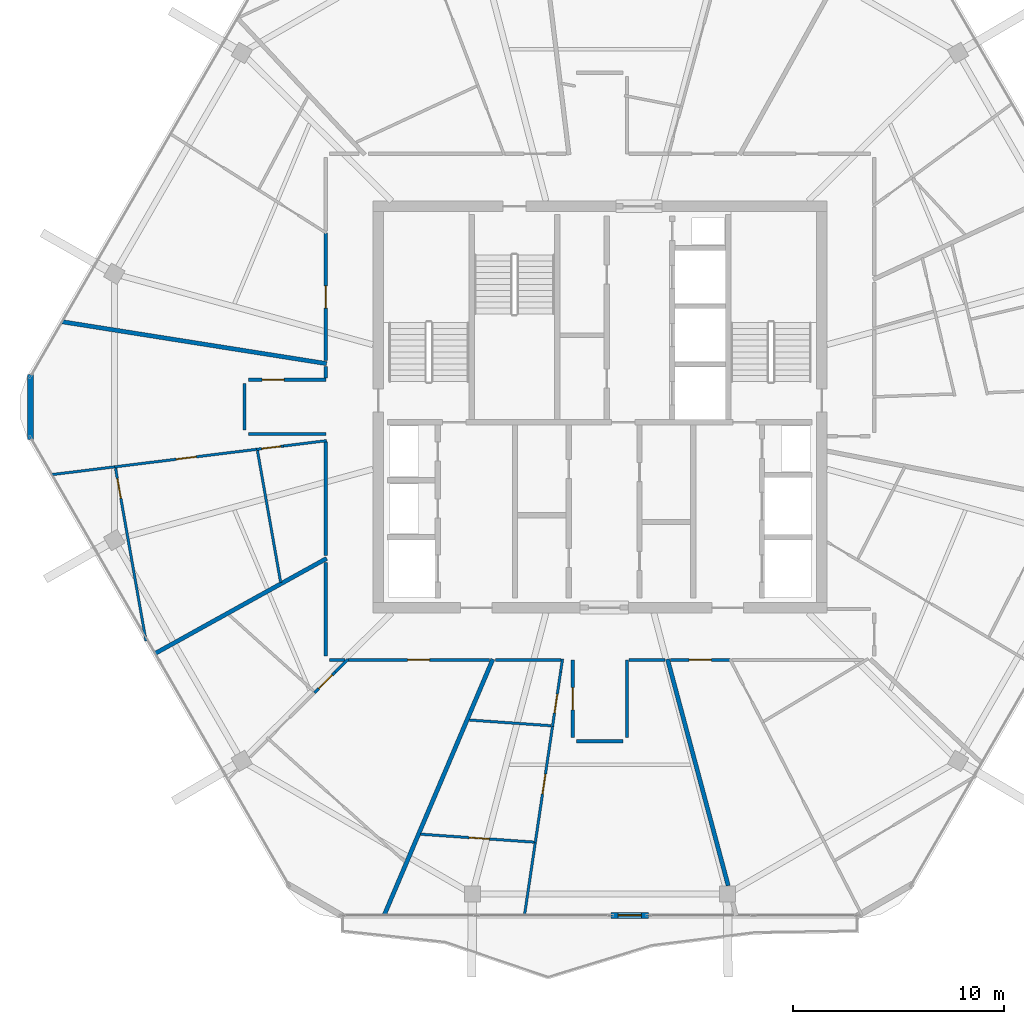
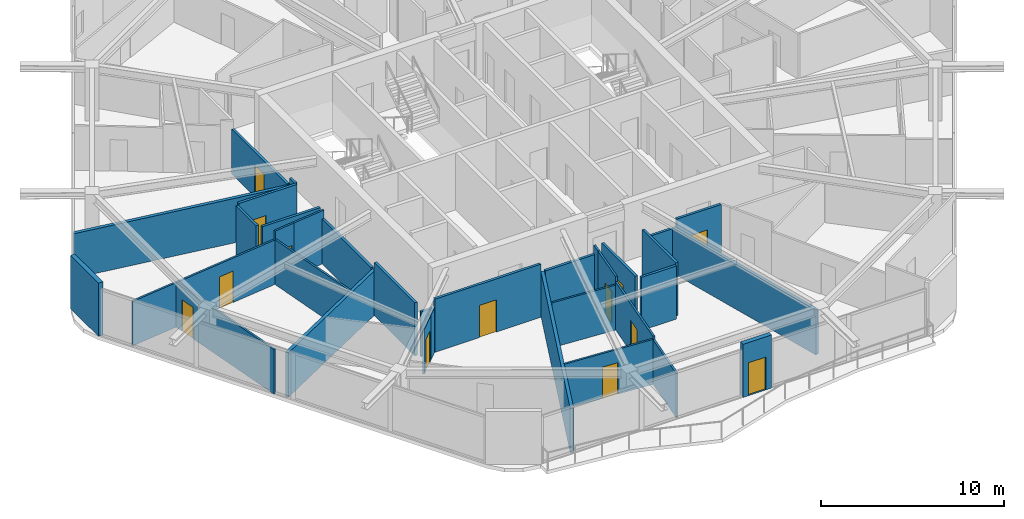
# One storey, part 15 of 21: 35 walls, 13 doors, 13 openings.
"""IFC4 building model written with IfcOpenShell, lengths in metres."""

from ifc_helpers import new_model, si_unit, direction, frame, frame_2d, origin, place, context, subcontext, project, spatial, rectangle, extrude, material, layer, layer_set, type_object, element, fill, save


model = new_model("IFC4")

# Units and contexts
model_context = context("Model", 3, precision=1e-05, world=origin(), true_north=direction((0.0, 1.0)))
body_context = subcontext(model_context, "Body", "Model", "MODEL_VIEW")
ifc_project = project(units=[si_unit("LENGTHUNIT", "METRE"), si_unit("AREAUNIT", "SQUARE_METRE"), si_unit("VOLUMEUNIT", "CUBIC_METRE"), si_unit("PLANEANGLEUNIT", "RADIAN"), si_unit("MASSUNIT", "GRAM", prefix="KILO")], contexts=[model_context])

# Site, building, storey
site_placement = place(None, origin())
site = spatial("IfcSite", under=ifc_project, at=site_placement, CompositionType="ELEMENT")
building_placement = place(site_placement, origin())
building = spatial("IfcBuilding", under=site, at=building_placement, Name="Zuhravey Tower", CompositionType="ELEMENT")
storey_placement = place(building_placement, frame((0.0, 0.0, 334.800048828125)))
storey = spatial("IfcBuildingStorey", under=building, at=storey_placement, Name="L85", CompositionType="ELEMENT", Elevation=334.800048828125)

# Wall, opening, door
ifc_material_1 = material(Name="Gypsum fire-rated stud partition")
ifc_layer_1 = layer(ifc_material_1, 0.159912109375)
ifc_layer_set_1 = layer_set([ifc_layer_1], Name="Gypsum fire-rated stud partition")
wall_type_1 = type_object("IfcWallType", Name="Corridor Fire Partition 160", PredefinedType="PARTITIONING", material=ifc_layer_set_1)
wall_1_placement = place(storey_placement, frame((23.02001953125, 40.226318359375, 0.0), z_axis=(0.0, 0.0, 1.0), x_axis=(0.0, -1.0, 0.0)))
wall_1 = element("IfcWall", 1, at=wall_1_placement, inside=storey, type_object=wall_type_1, Name="L85 IW16 Partition 023", PredefinedType="PARTITIONING", context=body_context, shape_type="SweptSolid", body=[
    extrude(rectangle(XDim=6.033935546875, YDim=0.159912109375, at=frame_2d((3.01708984375, 0.0))), origin(), (0.0, 0.0, 1.0), 3.0),
])
opening_1_placement = place(wall_1_placement, frame((2.491943359375, 0.0, 0.0)))
opening_1 = element("IfcOpeningElement", 2, at=opening_1_placement, cuts=wall_1, Name="Opening APD1", PredefinedType="OPENING", context=body_context, shape_type="SweptSolid", body=[
    extrude(rectangle(XDim=1.050048828125, YDim=2.14990234375, at=frame_2d((0.52490234375, 1.074951171875))), frame((0.0, 0.092041015625, 0.0), z_axis=(0.0, -1.0, 0.0), x_axis=(1.0, 0.0, 0.0)), (0.0, 0.0, 1.0), 0.183837890625),
])
ifc_material_2 = material(Name="Solid-core oak fire-rated leaf")
door_type_1 = type_object("IfcDoorType", Name="Apartment Entrance Fire Door 1050x2150", OperationType="NOTDEFINED", PredefinedType="DOOR", material=ifc_material_2)
door_1_placement = place(opening_1_placement, frame((1.050048828125, 0.0, 0.0), z_axis=(0.0, 0.0, 1.0), x_axis=(-1.0, 0.0, 0.0)))
door_1 = element("IfcDoor", 3, at=door_1_placement, inside=storey, type_object=door_type_1, Name="L85 Door 023.1", OperationType="SINGLE_SWING_RIGHT", OverallHeight=2.14990234375, OverallWidth=1.050048828125, PredefinedType="DOOR", context=body_context, shape_type="SweptSolid", body=[
    extrude(rectangle(XDim=1.050048828125, YDim=2.14990234375, at=frame_2d((0.52490234375, 1.074951171875))), frame((0.0, 0.02490234375, 0.0), z_axis=(0.0, -1.0, 0.0), x_axis=(1.0, 0.0, 0.0)), (0.0, 0.0, 1.0), 0.050048828125),
])
fill(opening_1, door_1)

wall_2_placement = place(storey_placement, frame((23.02001953125, 33.280029296875, 0.0), z_axis=(0.0, 0.0, 1.0), x_axis=(-1.0, 0.0, 0.0)))
wall_2 = element("IfcWall", 4, at=wall_2_placement, inside=storey, type_object=wall_type_1, Name="L85 IW16 Partition 027", PredefinedType="PARTITIONING", context=body_context, shape_type="SweptSolid", body=[
    extrude(rectangle(XDim=3.669921875, YDim=0.159912109375, at=frame_2d((1.8349609375, 0.0))), origin(), (0.0, 0.0, 1.0), 3.550048828125),
])
opening_2_placement = place(wall_2_placement, frame((1.969970703125, 0.0, 0.0)))
opening_2 = element("IfcOpeningElement", 5, at=opening_2_placement, cuts=wall_2, Name="Opening APD1", PredefinedType="OPENING", context=body_context, shape_type="SweptSolid", body=[
    extrude(rectangle(XDim=1.050048828125, YDim=2.14990234375, at=frame_2d((0.52490234375, 1.074951171875))), frame((0.0, 0.092041015625, 0.0), z_axis=(0.0, -1.0, 0.0), x_axis=(1.0, 0.0, 0.0)), (0.0, 0.0, 1.0), 0.183837890625),
])
door_2_placement = place(opening_2_placement, origin())
door_2 = element("IfcDoor", 6, at=door_2_placement, inside=storey, type_object=door_type_1, Name="L85 Door 027.1", OperationType="SINGLE_SWING_RIGHT", OverallHeight=2.14990234375, OverallWidth=1.050048828125, PredefinedType="DOOR", context=body_context, shape_type="SweptSolid", body=[
    extrude(rectangle(XDim=1.050048828125, YDim=2.14990234375, at=frame_2d((0.52490234375, 1.074951171875))), frame((0.0, 0.02490234375, 0.0), z_axis=(0.0, -1.0, 0.0), x_axis=(1.0, 0.0, 0.0)), (0.0, 0.0, 1.0), 0.050048828125),
])
fill(opening_2, door_2)

wall_3_placement = place(storey_placement, frame((24.06494140625, 20.02001953125, 0.0), z_axis=(0.0, 0.0, 1.0), x_axis=(1.0, 0.0, 0.0)))
wall_3 = element("IfcWall", 7, at=wall_3_placement, inside=storey, type_object=wall_type_1, Name="L85 IW16 Partition 032", PredefinedType="PARTITIONING", context=body_context, shape_type="SweptSolid", body=[
    extrude(rectangle(XDim=6.7041015625, YDim=0.159912109375, at=frame_2d((3.35205078125, 0.0))), origin(), (0.0, 0.0, 1.0), 3.550048828125),
])
opening_3_placement = place(wall_3_placement, frame((2.8271484375, 0.0, 0.0)))
opening_3 = element("IfcOpeningElement", 8, at=opening_3_placement, cuts=wall_3, Name="Opening APD1", PredefinedType="OPENING", context=body_context, shape_type="SweptSolid", body=[
    extrude(rectangle(XDim=1.050048828125, YDim=2.14990234375, at=frame_2d((0.52490234375, 1.074951171875))), frame((0.0, 0.092041015625, 0.0), z_axis=(0.0, -1.0, 0.0), x_axis=(1.0, 0.0, 0.0)), (0.0, 0.0, 1.0), 0.183837890625),
])
door_3_placement = place(opening_3_placement, frame((1.050048828125, 0.0, 0.0), z_axis=(0.0, 0.0, 1.0), x_axis=(-1.0, 0.0, 0.0)))
door_3 = element("IfcDoor", 9, at=door_3_placement, inside=storey, type_object=door_type_1, Name="L85 Door 032.1", OperationType="SINGLE_SWING_RIGHT", OverallHeight=2.14990234375, OverallWidth=1.050048828125, PredefinedType="DOOR", context=body_context, shape_type="SweptSolid", body=[
    extrude(rectangle(XDim=1.050048828125, YDim=2.14990234375, at=frame_2d((0.52490234375, 1.074951171875))), frame((0.0, 0.02490234375, 0.0), z_axis=(0.0, -1.0, 0.0), x_axis=(1.0, 0.0, 0.0)), (0.0, 0.0, 1.0), 0.050048828125),
])
fill(opening_3, door_3)

wall_4_placement = place(storey_placement, frame((34.719970703125, 20.02001953125, 0.0), z_axis=(0.0, 0.0, 1.0), x_axis=(0.0, -1.0, 0.0)))
wall_4 = element("IfcWall", 10, at=wall_4_placement, inside=storey, type_object=wall_type_1, Name="L85 IW16 Partition 036", PredefinedType="PARTITIONING", context=body_context, shape_type="SweptSolid", body=[
    extrude(rectangle(XDim=3.669921875, YDim=0.159912109375, at=frame_2d((1.8349609375, 0.0))), origin(), (0.0, 0.0, 1.0), 3.550048828125),
])
opening_4_placement = place(wall_4_placement, frame((1.31005859375, 0.0, 0.0)))
opening_4 = element("IfcOpeningElement", 11, at=opening_4_placement, cuts=wall_4, Name="Opening APD1", PredefinedType="OPENING", context=body_context, shape_type="SweptSolid", body=[
    extrude(rectangle(XDim=1.050048828125, YDim=2.14990234375, at=frame_2d((0.52490234375, 1.074951171875))), frame((0.0, 0.092041015625, 0.0), z_axis=(0.0, -1.0, 0.0), x_axis=(1.0, 0.0, 0.0)), (0.0, 0.0, 1.0), 0.183837890625),
])
door_4_placement = place(opening_4_placement, origin())
door_4 = element("IfcDoor", 12, at=door_4_placement, inside=storey, type_object=door_type_1, Name="L85 Door 036.1", OperationType="SINGLE_SWING_RIGHT", OverallHeight=2.14990234375, OverallWidth=1.050048828125, PredefinedType="DOOR", context=body_context, shape_type="SweptSolid", body=[
    extrude(rectangle(XDim=1.050048828125, YDim=2.14990234375, at=frame_2d((0.52490234375, 1.074951171875))), frame((0.0, 0.02490234375, 0.0), z_axis=(0.0, -1.0, 0.0), x_axis=(1.0, 0.0, 0.0)), (0.0, 0.0, 1.0), 0.050048828125),
])
fill(opening_4, door_4)

wall_5_placement = place(storey_placement, frame((39.343017578125, 20.02001953125, 0.0), z_axis=(0.0, 0.0, 1.0), x_axis=(1.0, 0.0, 0.0)))
wall_5 = element("IfcWall", 13, at=wall_5_placement, inside=storey, type_object=wall_type_1, Name="L85 IW16 Partition 040", PredefinedType="PARTITIONING", context=body_context, shape_type="SweptSolid", body=[
    extrude(rectangle(XDim=2.8125, YDim=0.159912109375, at=frame_2d((1.40625, 0.0))), origin(), (0.0, 0.0, 1.0), 3.550048828125),
])
opening_5_placement = place(wall_5_placement, frame((0.881103515625, 0.0, 0.0)))
opening_5 = element("IfcOpeningElement", 14, at=opening_5_placement, cuts=wall_5, Name="Opening APD1", PredefinedType="OPENING", context=body_context, shape_type="SweptSolid", body=[
    extrude(rectangle(XDim=1.050048828125, YDim=2.14990234375, at=frame_2d((0.52490234375, 1.074951171875))), frame((0.0, 0.092041015625, 0.0), z_axis=(0.0, -1.0, 0.0), x_axis=(1.0, 0.0, 0.0)), (0.0, 0.0, 1.0), 0.183837890625),
])
door_5_placement = place(opening_5_placement, frame((1.050048828125, 0.0, 0.0), z_axis=(0.0, 0.0, 1.0), x_axis=(-1.0, 0.0, 0.0)))
door_5 = element("IfcDoor", 15, at=door_5_placement, inside=storey, type_object=door_type_1, Name="L85 Door 040.1", OperationType="SINGLE_SWING_RIGHT", OverallHeight=2.14990234375, OverallWidth=1.050048828125, PredefinedType="DOOR", context=body_context, shape_type="SweptSolid", body=[
    extrude(rectangle(XDim=1.050048828125, YDim=2.14990234375, at=frame_2d((0.52490234375, 1.074951171875))), frame((0.0, 0.02490234375, 0.0), z_axis=(0.0, -1.0, 0.0), x_axis=(1.0, 0.0, 0.0)), (0.0, 0.0, 1.0), 0.050048828125),
])
fill(opening_5, door_5)

# Walls
wall_6_placement = place(storey_placement, frame((19.35009765625, 30.719970703125, 0.0), z_axis=(0.0, 0.0, 1.0), x_axis=(1.0, 0.0, 0.0)))
element("IfcWall", 16, at=wall_6_placement, inside=storey, type_object=wall_type_1, Name="L85 IW16 Partition 106", PredefinedType="PARTITIONING", context=body_context, shape_type="SweptSolid", body=[
    extrude(rectangle(XDim=3.669921875, YDim=0.159912109375, at=frame_2d((1.8349609375, 0.0))), origin(), (0.0, 0.0, 1.0), 3.550048828125),
])
wall_7_placement = place(storey_placement, frame((19.169921875, 33.10009765625, 0.0), z_axis=(0.0, 0.0, 1.0), x_axis=(0.0, -1.0, 0.0)))
element("IfcWall", 17, at=wall_7_placement, inside=storey, type_object=wall_type_1, Name="L85 IW16 Partition 107", PredefinedType="PARTITIONING", context=body_context, shape_type="SweptSolid", body=[
    extrude(rectangle(XDim=2.2001953125, YDim=0.159912109375, at=frame_2d((1.10009765625, 0.0))), origin(), (0.0, 0.0, 1.0), 3.550048828125),
])
wall_8_placement = place(storey_placement, frame((23.02001953125, 33.919677734375, 0.0), z_axis=(0.0, 0.0, 1.0), x_axis=(0.0, -1.0, 0.0)))
element("IfcWall", 18, at=wall_8_placement, inside=storey, type_object=wall_type_1, Name="L85 IW16 Partition 108", PredefinedType="PARTITIONING", context=body_context, shape_type="SweptSolid", body=[
    extrude(rectangle(XDim=0.5517578125, YDim=0.159912109375, at=frame_2d((0.27587890625, 0.0))), origin(), (0.0, 0.0, 1.0), 3.550048828125),
])
wall_9_placement = place(storey_placement, frame((23.02001953125, 30.32861328125, 0.0), z_axis=(0.0, 0.0, 1.0), x_axis=(0.0, -1.0, 0.0)))
element("IfcWall", 19, at=wall_9_placement, inside=storey, type_object=wall_type_1, Name="L85 IW16 Partition 109", PredefinedType="PARTITIONING", context=body_context, shape_type="SweptSolid", body=[
    extrude(rectangle(XDim=5.353515625, YDim=0.159912109375, at=frame_2d((2.6767578125, 0.0))), origin(), (0.0, 0.0, 1.0), 3.0),
])
wall_10_placement = place(storey_placement, frame((23.02001953125, 24.63330078125, 0.0), z_axis=(0.0, 0.0, 1.0), x_axis=(0.0, -1.0, 0.0)))
element("IfcWall", 20, at=wall_10_placement, inside=storey, type_object=wall_type_1, Name="L85 IW16 Partition 110", PredefinedType="PARTITIONING", context=body_context, shape_type="SweptSolid", body=[
    extrude(rectangle(XDim=4.433349609375, YDim=0.159912109375, at=frame_2d((2.216796875, 0.0))), origin(), (0.0, 0.0, 1.0), 3.550048828125),
])
wall_11_placement = place(storey_placement, frame((23.199951171875, 20.02001953125, 0.0), z_axis=(0.0, 0.0, 1.0), x_axis=(1.0, 0.0, 0.0)))
element("IfcWall", 21, at=wall_11_placement, inside=storey, type_object=wall_type_1, Name="L85 IW16 Partition 111", PredefinedType="PARTITIONING", context=body_context, shape_type="SweptSolid", body=[
    extrude(rectangle(XDim=0.740478515625, YDim=0.159912109375, at=frame_2d((0.3701171875, 0.0))), origin(), (0.0, 0.0, 1.0), 3.0),
])
wall_12_placement = place(storey_placement, frame((37.280029296875, 16.35009765625, 0.0), z_axis=(0.0, 0.0, 1.0), x_axis=(0.0, 1.0, 0.0)))
element("IfcWall", 22, at=wall_12_placement, inside=storey, type_object=wall_type_1, Name="L85 IW16 Partition 112", PredefinedType="PARTITIONING", context=body_context, shape_type="SweptSolid", body=[
    extrude(rectangle(XDim=3.669921875, YDim=0.159912109375, at=frame_2d((1.8349609375, 0.0))), origin(), (0.0, 0.0, 1.0), 3.550048828125),
])
wall_13_placement = place(storey_placement, frame((34.89990234375, 16.169921875, 0.0), z_axis=(0.0, 0.0, 1.0), x_axis=(1.0, 0.0, 0.0)))
element("IfcWall", 23, at=wall_13_placement, inside=storey, type_object=wall_type_1, Name="L85 IW16 Partition 113", PredefinedType="PARTITIONING", context=body_context, shape_type="SweptSolid", body=[
    extrude(rectangle(XDim=2.2001953125, YDim=0.159912109375, at=frame_2d((1.10009765625, 0.0))), origin(), (0.0, 0.0, 1.0), 3.550048828125),
])
wall_14_placement = place(storey_placement, frame((37.367919921875, 20.02001953125, 0.0), z_axis=(0.0, 0.0, 1.0), x_axis=(1.0, 0.0, 0.0)))
element("IfcWall", 24, at=wall_14_placement, inside=storey, type_object=wall_type_1, Name="L85 IW16 Partition 114", PredefinedType="PARTITIONING", context=body_context, shape_type="SweptSolid", body=[
    extrude(rectangle(XDim=1.709716796875, YDim=0.159912109375, at=frame_2d((0.85498046875, 0.0))), origin(), (0.0, 0.0, 1.0), 3.0),
])
wall_15_placement = place(storey_placement, frame((31.059326171875, 20.02001953125, 0.0), z_axis=(0.0, 0.0, 1.0), x_axis=(1.0, 0.0, 0.0)))
element("IfcWall", 25, at=wall_15_placement, inside=storey, type_object=wall_type_1, Name="L85 IW16 Partition 115", PredefinedType="PARTITIONING", context=body_context, shape_type="SweptSolid", body=[
    extrude(rectangle(XDim=3.09423828125, YDim=0.159912109375, at=frame_2d((1.547119140625, 0.0))), origin(), (0.0, 0.0, 1.0), 3.0),
])

# Wall, opening, door
ifc_material_3 = material(Name="Precast concrete C40/50", Category="concrete")
ifc_layer_2 = layer(ifc_material_3, 0.280029296875)
ifc_layer_set_2 = layer_set([ifc_layer_2], Name="Precast concrete C40/50")
wall_type_2 = type_object("IfcWallType", Name="Crown Architectural Wall 280", PredefinedType="SOLIDWALL", material=ifc_layer_set_2)
wall_16_placement = place(storey_placement, frame((38.30712890625, 7.92578125, 0.0), z_axis=(0.0, 0.0, 1.0), x_axis=(-1.0, 0.0, 0.0)))
wall_16 = element("IfcWall", 26, at=wall_16_placement, inside=storey, type_object=wall_type_2, Name="L85 Face 5 Facade Pier EW28-1", PredefinedType="SOLIDWALL", context=body_context, shape_type="SweptSolid", body=[
    extrude(rectangle(XDim=1.7900390625, YDim=0.280029296875, at=frame_2d((0.89501953125, 0.0))), origin(), (0.0, 0.0, 1.0), 3.550048828125),
])
opening_6_placement = place(wall_16_placement, frame((0.344970703125, 0.0, 0.0)))
opening_6 = element("IfcOpeningElement", 27, at=opening_6_placement, cuts=wall_16, Name="Opening BLD1", PredefinedType="OPENING", context=body_context, shape_type="SweptSolid", body=[
    extrude(rectangle(XDim=1.10009765625, YDim=2.199951171875, at=frame_2d((0.550048828125, 1.10009765625))), frame((0.0, 0.152099609375, 0.0), z_axis=(0.0, -1.0, 0.0), x_axis=(1.0, 0.0, 0.0)), (0.0, 0.0, 1.0), 0.303955078125),
])
ifc_material_4 = material(Name="Thermally broken aluminium and low-E glass", Category="aluminium")
door_type_2 = type_object("IfcDoorType", Name="Balcony & Sky-Tray Glazed Door 1100x2200", OperationType="NOTDEFINED", PredefinedType="DOOR", material=ifc_material_4)
door_6_placement = place(opening_6_placement, frame((1.10009765625, 0.0, 0.0), z_axis=(0.0, 0.0, 1.0), x_axis=(-1.0, 0.0, 0.0)))
door_6 = element("IfcDoor", 28, at=door_6_placement, inside=storey, type_object=door_type_2, Name="L85 Face 5 Wave Balcony Door", OperationType="SINGLE_SWING_LEFT", OverallHeight=2.199951171875, OverallWidth=1.10009765625, PredefinedType="DOOR", context=body_context, shape_type="SweptSolid", body=[
    extrude(rectangle(XDim=1.10009765625, YDim=2.199951171875, at=frame_2d((0.550048828125, 1.10009765625))), frame((0.0, 0.02490234375, 0.0), z_axis=(0.0, -1.0, 0.0), x_axis=(1.0, 0.0, 0.0)), (0.0, 0.0, 1.0), 0.050048828125),
])
fill(opening_6, door_6)

# Walls
wall_17_placement = place(storey_placement, frame((9.031494140625, 30.467529296875, 0.0), z_axis=(0.0, 0.0, 1.0), x_axis=(0.0, 1.0, 0.0)))
element("IfcWall", 29, at=wall_17_placement, inside=storey, type_object=wall_type_2, Name="L85 Rounded Corner Closure Wall EW28-06", PredefinedType="SOLIDWALL", context=body_context, shape_type="SweptSolid", body=[
    extrude(rectangle(XDim=3.06494140625, YDim=0.280029296875, at=frame_2d((1.532470703125, 0.0))), origin(), (0.0, 0.0, 1.0), 3.550048828125),
])
ifc_material_5 = material(Name="Gypsum double-stud party assembly")
ifc_layer_3 = layer(ifc_material_5, 0.199951171875)
ifc_layer_set_3 = layer_set([ifc_layer_3], Name="Gypsum double-stud party assembly")
wall_type_3 = type_object("IfcWallType", Name="Inter-Tenancy Party Wall 200", PredefinedType="PARTITIONING", material=ifc_layer_set_3)
wall_18_placement = place(storey_placement, frame((23.06005859375, 34.049560546875, 0.0), z_axis=(0.0, 0.0, 1.0), x_axis=(-0.987689201377, 0.156429030179, 0.0)))
element("IfcWall", 30, at=wall_18_placement, inside=storey, type_object=wall_type_3, Name="L85 IW20 Partition 066", PredefinedType="PARTITIONING", context=body_context, shape_type="SweptSolid", body=[
    extrude(rectangle(XDim=12.685546875, YDim=0.199951171875, at=frame_2d((6.3427734375, 0.0))), origin(), (0.0, 0.0, 1.0), 2.969970703125),
])
wall_19_placement = place(storey_placement, frame((23.06005859375, 24.8271484375, 0.0), z_axis=(0.0, 0.0, 1.0), x_axis=(-0.874625812901, -0.484798604998, 0.0)))
element("IfcWall", 31, at=wall_19_placement, inside=storey, type_object=wall_type_3, Name="L85 IW20 Partition 070", PredefinedType="PARTITIONING", context=body_context, shape_type="SweptSolid", body=[
    extrude(rectangle(XDim=9.28271484375, YDim=0.199951171875, at=frame_2d((4.641357421875, 0.0))), origin(), (0.0, 0.0, 1.0), 2.969970703125),
])
wall_20_placement = place(storey_placement, frame((30.931884765625, 20.06005859375, 0.0), z_axis=(0.0, 0.0, 1.0), x_axis=(-0.390727247375, -0.920506500878, 0.0)))
element("IfcWall", 32, at=wall_20_placement, inside=storey, type_object=wall_type_3, Name="L85 IW20 Partition 074", PredefinedType="PARTITIONING", context=body_context, shape_type="SweptSolid", body=[
    extrude(rectangle(XDim=13.18212890625, YDim=0.199951171875, at=frame_2d((6.591064453125, 0.0))), origin(), (0.0, 0.0, 1.0), 2.969970703125),
])
wall_21_placement = place(storey_placement, frame((39.19921875, 20.06005859375, 0.0), z_axis=(0.0, 0.0, 1.0), x_axis=(0.258828003351, -0.965923425889, 0.0)))
element("IfcWall", 33, at=wall_21_placement, inside=storey, type_object=wall_type_3, Name="L85 IW20 Partition 078", PredefinedType="PARTITIONING", context=body_context, shape_type="SweptSolid", body=[
    extrude(rectangle(XDim=11.107666015625, YDim=0.199951171875, at=frame_2d((5.5537109375, 0.0))), origin(), (0.0, 0.0, 1.0), 3.0),
])

# Wall, opening, door
ifc_material_6 = material(Name="Gypsum metal-stud partition")
ifc_layer_4 = layer(ifc_material_6, 0.1201171875)
ifc_layer_set_4 = layer_set([ifc_layer_4], Name="Gypsum metal-stud partition")
wall_type_4 = type_object("IfcWallType", Name="Unit Internal Partition 120", PredefinedType="PARTITIONING", material=ifc_layer_set_4)
wall_22_placement = place(storey_placement, frame((21.01953125, 30.14990234375, 0.0), z_axis=(0.0, 0.0, 1.0), x_axis=(-0.992470094152, -0.122487192042, 0.0)))
wall_22 = element("IfcWall", 34, at=wall_22_placement, inside=storey, type_object=wall_type_4, Name="L85 IW12 Partition 024", PredefinedType="PARTITIONING", context=body_context, shape_type="SweptSolid", body=[
    extrude(rectangle(XDim=1.28173828125, YDim=0.1201171875, at=frame_2d((0.640869140625, 0.0))), origin(), (0.0, 0.0, 1.0), 3.550048828125),
])
opening_7_placement = place(wall_22_placement, frame((0.139892578125, 0.0, 0.0)))
opening_7 = element("IfcOpeningElement", 35, at=opening_7_placement, cuts=wall_22, Name="Opening WCD1", PredefinedType="OPENING", context=body_context, shape_type="SweptSolid", body=[
    extrude(rectangle(XDim=0.89990234375, YDim=2.10009765625, at=frame_2d((0.449951171875, 1.050048828125))), frame((0.0, 0.072021484375, 0.0), z_axis=(0.0, -1.0, 0.0), x_axis=(1.0, 0.0, 0.0)), (0.0, 0.0, 1.0), 0.14404296875),
])
ifc_material_7 = material(Name="Moisture-resistant timber leaf", Category="wood")
door_type_3 = type_object("IfcDoorType", Name="Bathroom & WC Internal Door 900x2100", OperationType="NOTDEFINED", PredefinedType="DOOR", material=ifc_material_7)
door_7_placement = place(opening_7_placement, origin())
door_7 = element("IfcDoor", 36, at=door_7_placement, inside=storey, type_object=door_type_3, Name="Apartment L85-02 Bathroom Door", OperationType="SINGLE_SWING_LEFT", OverallHeight=2.10009765625, OverallWidth=0.89990234375, PredefinedType="DOOR", context=body_context, shape_type="SweptSolid", body=[
    extrude(rectangle(XDim=0.89990234375, YDim=2.10009765625, at=frame_2d((0.449951171875, 1.050048828125))), frame((0.0, 0.02490234375, 0.0), z_axis=(0.0, -1.0, 0.0), x_axis=(1.0, 0.0, 0.0)), (0.0, 0.0, 1.0), 0.050048828125),
])
fill(opening_7, door_7)

wall_23_placement = place(storey_placement, frame((19.74755859375, 29.992919921875, 0.0), z_axis=(0.0, 0.0, 1.0), x_axis=(-0.992461497714, -0.122556825821, 0.0)))
wall_23 = element("IfcWall", 37, at=wall_23_placement, inside=storey, type_object=wall_type_4, Name="L85 IW12 Partition 025", PredefinedType="PARTITIONING", context=body_context, shape_type="SweptSolid", body=[
    extrude(rectangle(XDim=6.77099609375, YDim=0.1201171875, at=frame_2d((3.385498046875, 0.0))), origin(), (0.0, 0.0, 1.0), 2.969970703125),
])
opening_8_placement = place(wall_23_placement, frame((2.885498046875, 0.0, 0.0)))
opening_8 = element("IfcOpeningElement", 38, at=opening_8_placement, cuts=wall_23, Name="Opening IND1", PredefinedType="OPENING", context=body_context, shape_type="SweptSolid", body=[
    extrude(rectangle(XDim=0.949951171875, YDim=2.10009765625, at=frame_2d((0.47509765625, 1.050048828125))), frame((0.0, 0.072021484375, 0.0), z_axis=(0.0, -1.0, 0.0), x_axis=(1.0, 0.0, 0.0)), (0.0, 0.0, 1.0), 0.14404296875),
])
ifc_material_8 = material(Name="Painted engineered timber leaf", Category="wood")
door_type_4 = type_object("IfcDoorType", Name="Internal Room & Bedroom Door 950x2100", OperationType="NOTDEFINED", PredefinedType="DOOR", material=ifc_material_8)
door_8_placement = place(opening_8_placement, origin())
door_8 = element("IfcDoor", 39, at=door_8_placement, inside=storey, type_object=door_type_4, Name="Apartment L85-02 Home Office Door", OperationType="SINGLE_SWING_RIGHT", OverallHeight=2.10009765625, OverallWidth=0.949951171875, PredefinedType="DOOR", context=body_context, shape_type="SweptSolid", body=[
    extrude(rectangle(XDim=0.949951171875, YDim=2.10009765625, at=frame_2d((0.47509765625, 1.050048828125))), frame((0.0, 0.02490234375, 0.0), z_axis=(0.0, -1.0, 0.0), x_axis=(1.0, 0.0, 0.0)), (0.0, 0.0, 1.0), 0.050048828125),
])
fill(opening_8, door_8)

wall_24_placement = place(storey_placement, frame((13.064208984375, 29.09912109375, 0.0), z_axis=(0.0, 0.0, 1.0), x_axis=(0.173662921091, -0.984805153235, 0.0)))
wall_24 = element("IfcWall", 40, at=wall_24_placement, inside=storey, type_object=wall_type_4, Name="L85 IW12 Partition 026", PredefinedType="PARTITIONING", context=body_context, shape_type="SweptSolid", body=[
    extrude(rectangle(XDim=8.3056640625, YDim=0.1201171875, at=frame_2d((4.15283203125, 0.0))), origin(), (0.0, 0.0, 1.0), 2.969970703125),
])
opening_9_placement = place(wall_24_placement, frame((0.497314453125, 0.0, 0.0)))
opening_9 = element("IfcOpeningElement", 41, at=opening_9_placement, cuts=wall_24, Name="Opening IND1", PredefinedType="OPENING", context=body_context, shape_type="SweptSolid", body=[
    extrude(rectangle(XDim=0.949951171875, YDim=2.10009765625, at=frame_2d((0.47509765625, 1.050048828125))), frame((0.0, 0.072021484375, 0.0), z_axis=(0.0, -1.0, 0.0), x_axis=(1.0, 0.0, 0.0)), (0.0, 0.0, 1.0), 0.14404296875),
])
door_9_placement = place(opening_9_placement, frame((0.949951171875, 0.0, 0.0), z_axis=(0.0, 0.0, 1.0), x_axis=(-1.0, 0.0, 0.0)))
door_9 = element("IfcDoor", 42, at=door_9_placement, inside=storey, type_object=door_type_4, Name="Apartment L85-02 Bedroom 1 Door", OperationType="SINGLE_SWING_LEFT", OverallHeight=2.10009765625, OverallWidth=0.949951171875, PredefinedType="DOOR", context=body_context, shape_type="SweptSolid", body=[
    extrude(rectangle(XDim=0.949951171875, YDim=2.10009765625, at=frame_2d((0.47509765625, 1.050048828125))), frame((0.0, 0.02490234375, 0.0), z_axis=(0.0, -1.0, 0.0), x_axis=(1.0, 0.0, 0.0)), (0.0, 0.0, 1.0), 0.050048828125),
])
fill(opening_9, door_9)

wall_25_placement = place(storey_placement, frame((23.46728515625, 19.449951171875, 0.0), z_axis=(0.0, 0.0, 1.0), x_axis=(-0.706576517607, -0.707636647416, 0.0)))
wall_25 = element("IfcWall", 43, at=wall_25_placement, inside=storey, type_object=wall_type_4, Name="L85 IW12 Partition 029", PredefinedType="PARTITIONING", context=body_context, shape_type="SweptSolid", body=[
    extrude(rectangle(XDim=1.3818359375, YDim=0.1201171875, at=frame_2d((0.69091796875, 0.0))), origin(), (0.0, 0.0, 1.0), 3.0),
])
opening_10_placement = place(wall_25_placement, frame((0.199951171875, 0.0, 0.0)))
opening_10 = element("IfcOpeningElement", 44, at=opening_10_placement, cuts=wall_25, Name="Opening WCD1", PredefinedType="OPENING", context=body_context, shape_type="SweptSolid", body=[
    extrude(rectangle(XDim=0.89990234375, YDim=2.10009765625, at=frame_2d((0.449951171875, 1.050048828125))), frame((0.0, 0.072021484375, 0.0), z_axis=(0.0, -1.0, 0.0), x_axis=(1.0, 0.0, 0.0)), (0.0, 0.0, 1.0), 0.14404296875),
])
door_10_placement = place(opening_10_placement, frame((0.89990234375, 0.0, 0.0), z_axis=(0.0, 0.0, 1.0), x_axis=(-1.0, 0.0, 0.0)))
door_10 = element("IfcDoor", 45, at=door_10_placement, inside=storey, type_object=door_type_3, Name="Apartment L85-03 Bathroom Door", OperationType="SINGLE_SWING_RIGHT", OverallHeight=2.10009765625, OverallWidth=0.89990234375, PredefinedType="DOOR", context=body_context, shape_type="SweptSolid", body=[
    extrude(rectangle(XDim=0.89990234375, YDim=2.10009765625, at=frame_2d((0.449951171875, 1.050048828125))), frame((0.0, 0.02490234375, 0.0), z_axis=(0.0, -1.0, 0.0), x_axis=(1.0, 0.0, 0.0)), (0.0, 0.0, 1.0), 0.050048828125),
])
fill(opening_10, door_10)

wall_26_placement = place(storey_placement, frame((34.1376953125, 19.449951171875, 0.0), z_axis=(0.0, 0.0, 1.0), x_axis=(-0.146698230723, -0.989181292334, 0.0)))
wall_26 = element("IfcWall", 46, at=wall_26_placement, inside=storey, type_object=wall_type_4, Name="L85 IW12 Partition 033", PredefinedType="PARTITIONING", context=body_context, shape_type="SweptSolid", body=[
    extrude(rectangle(XDim=2.602783203125, YDim=0.1201171875, at=frame_2d((1.30126953125, 0.0))), origin(), (0.0, 0.0, 1.0), 3.550048828125),
])
opening_11_placement = place(wall_26_placement, frame((1.059814453125, 0.0, 0.0)))
opening_11 = element("IfcOpeningElement", 47, at=opening_11_placement, cuts=wall_26, Name="Opening WCD1", PredefinedType="OPENING", context=body_context, shape_type="SweptSolid", body=[
    extrude(rectangle(XDim=0.89990234375, YDim=2.10009765625, at=frame_2d((0.449951171875, 1.050048828125))), frame((0.0, 0.072021484375, 0.0), z_axis=(0.0, -1.0, 0.0), x_axis=(1.0, 0.0, 0.0)), (0.0, 0.0, 1.0), 0.14404296875),
])
door_11_placement = place(opening_11_placement, frame((0.89990234375, 0.0, 0.0), z_axis=(0.0, 0.0, 1.0), x_axis=(-1.0, 0.0, 0.0)))
door_11 = element("IfcDoor", 48, at=door_11_placement, inside=storey, type_object=door_type_3, Name="Apartment L85-04 Bathroom Door", OperationType="SINGLE_SWING_LEFT", OverallHeight=2.10009765625, OverallWidth=0.89990234375, PredefinedType="DOOR", context=body_context, shape_type="SweptSolid", body=[
    extrude(rectangle(XDim=0.89990234375, YDim=2.10009765625, at=frame_2d((0.449951171875, 1.050048828125))), frame((0.0, 0.02490234375, 0.0), z_axis=(0.0, -1.0, 0.0), x_axis=(1.0, 0.0, 0.0)), (0.0, 0.0, 1.0), 0.050048828125),
])
fill(opening_11, door_11)

wall_27_placement = place(storey_placement, frame((33.755859375, 16.875244140625, 0.0), z_axis=(0.0, 0.0, 1.0), x_axis=(-0.146775791573, -0.989169786744, 0.0)))
wall_27 = element("IfcWall", 49, at=wall_27_placement, inside=storey, type_object=wall_type_4, Name="L85 IW12 Partition 034", PredefinedType="PARTITIONING", context=body_context, shape_type="SweptSolid", body=[
    extrude(rectangle(XDim=5.570556640625, YDim=0.1201171875, at=frame_2d((2.78515625, 0.0))), origin(), (0.0, 0.0, 1.0), 3.199951171875),
])
opening_12_placement = place(wall_27_placement, frame((2.285400390625, 0.0, 0.0)))
opening_12 = element("IfcOpeningElement", 50, at=opening_12_placement, cuts=wall_27, Name="Opening IND1", PredefinedType="OPENING", context=body_context, shape_type="SweptSolid", body=[
    extrude(rectangle(XDim=0.949951171875, YDim=2.10009765625, at=frame_2d((0.47509765625, 1.050048828125))), frame((0.0, 0.072021484375, 0.0), z_axis=(0.0, -1.0, 0.0), x_axis=(1.0, 0.0, 0.0)), (0.0, 0.0, 1.0), 0.14404296875),
])
door_12_placement = place(opening_12_placement, frame((0.949951171875, 0.0, 0.0), z_axis=(0.0, 0.0, 1.0), x_axis=(-1.0, 0.0, 0.0)))
door_12 = element("IfcDoor", 51, at=door_12_placement, inside=storey, type_object=door_type_4, Name="Apartment L85-04 Home Office Door", OperationType="SINGLE_SWING_RIGHT", OverallHeight=2.10009765625, OverallWidth=0.949951171875, PredefinedType="DOOR", context=body_context, shape_type="SweptSolid", body=[
    extrude(rectangle(XDim=0.949951171875, YDim=2.10009765625, at=frame_2d((0.47509765625, 1.050048828125))), frame((0.0, 0.02490234375, 0.0), z_axis=(0.0, -1.0, 0.0), x_axis=(1.0, 0.0, 0.0)), (0.0, 0.0, 1.0), 0.050048828125),
])
fill(opening_12, door_12)

wall_28_placement = place(storey_placement, frame((27.511962890625, 11.76953125, 0.0), z_axis=(0.0, 0.0, 1.0), x_axis=(0.997563205134, -0.06976855856, 0.0)))
wall_28 = element("IfcWall", 52, at=wall_28_placement, inside=storey, type_object=wall_type_4, Name="L85 IW12 Partition 035", PredefinedType="PARTITIONING", context=body_context, shape_type="SweptSolid", body=[
    extrude(rectangle(XDim=5.375, YDim=0.1201171875, at=frame_2d((2.6875, 0.0))), origin(), (0.0, 0.0, 1.0), 3.0),
])
opening_13_placement = place(wall_28_placement, frame((2.296630859375, 0.0, 0.0)))
opening_13 = element("IfcOpeningElement", 53, at=opening_13_placement, cuts=wall_28, Name="Opening IND1", PredefinedType="OPENING", context=body_context, shape_type="SweptSolid", body=[
    extrude(rectangle(XDim=0.949951171875, YDim=2.10009765625, at=frame_2d((0.47509765625, 1.050048828125))), frame((0.0, 0.072021484375, 0.0), z_axis=(0.0, -1.0, 0.0), x_axis=(1.0, 0.0, 0.0)), (0.0, 0.0, 1.0), 0.14404296875),
])
door_13_placement = place(opening_13_placement, frame((0.949951171875, 0.0, 0.0), z_axis=(0.0, 0.0, 1.0), x_axis=(-1.0, 0.0, 0.0)))
door_13 = element("IfcDoor", 54, at=door_13_placement, inside=storey, type_object=door_type_4, Name="Apartment L85-04 Bedroom 1 Door", OperationType="SINGLE_SWING_LEFT", OverallHeight=2.10009765625, OverallWidth=0.949951171875, PredefinedType="DOOR", context=body_context, shape_type="SweptSolid", body=[
    extrude(rectangle(XDim=0.949951171875, YDim=2.10009765625, at=frame_2d((0.47509765625, 1.050048828125))), frame((0.0, 0.02490234375, 0.0), z_axis=(0.0, -1.0, 0.0), x_axis=(1.0, 0.0, 0.0)), (0.0, 0.0, 1.0), 0.050048828125),
])
fill(opening_13, door_13)

# Walls
wall_29_placement = place(storey_placement, frame((23.064697265625, 30.402587890625, 0.0), z_axis=(0.0, 0.0, 1.0), x_axis=(-0.992453667797, -0.122620215611, 0.0)))
element("IfcWall", 55, at=wall_29_placement, inside=storey, type_object=wall_type_4, Name="L85 IW12 Partition 067", PredefinedType="PARTITIONING", context=body_context, shape_type="SweptSolid", body=[
    extrude(rectangle(XDim=2.060791015625, YDim=0.1201171875, at=frame_2d((1.0302734375, 0.0))), origin(), (0.0, 0.0, 1.0), 3.550048828125),
])
wall_30_placement = place(storey_placement, frame((13.027587890625, 29.1630859375, 0.0), z_axis=(0.0, 0.0, 1.0), x_axis=(-0.99245949308, -0.122573058193, 0.0)))
element("IfcWall", 56, at=wall_30_placement, inside=storey, type_object=wall_type_4, Name="L85 IW12 Partition 068", PredefinedType="PARTITIONING", context=body_context, shape_type="SweptSolid", body=[
    extrude(rectangle(XDim=3.001708984375, YDim=0.1201171875, at=frame_2d((1.5009765625, 0.0))), origin(), (0.0, 0.0, 1.0), 2.969970703125),
])
wall_31_placement = place(storey_placement, frame((19.7841796875, 29.928955078125, 0.0), z_axis=(0.0, 0.0, 1.0), x_axis=(0.173638274333, -0.984809499186, 0.0)))
element("IfcWall", 57, at=wall_31_placement, inside=storey, type_object=wall_type_4, Name="L85 IW12 Partition 069", PredefinedType="PARTITIONING", context=body_context, shape_type="SweptSolid", body=[
    extrude(rectangle(XDim=6.345458984375, YDim=0.1201171875, at=frame_2d((3.1728515625, 0.0))), origin(), (0.0, 0.0, 1.0), 3.0),
])
wall_32_placement = place(storey_placement, frame((24.06494140625, 20.04833984375, 0.0), z_axis=(0.0, 0.0, 1.0), x_axis=(-0.706673637798, -0.707539659413, 0.0)))
element("IfcWall", 58, at=wall_32_placement, inside=storey, type_object=wall_type_4, Name="L85 IW12 Partition 071", PredefinedType="PARTITIONING", context=body_context, shape_type="SweptSolid", body=[
    extrude(rectangle(XDim=0.845703125, YDim=0.1201171875, at=frame_2d((0.4228515625, 0.0))), origin(), (0.0, 0.0, 1.0), 3.0),
])
wall_33_placement = place(storey_placement, frame((34.22900390625, 20.064697265625, 0.0), z_axis=(0.0, 0.0, 1.0), x_axis=(-0.146918808398, -0.989148554939, 0.0)))
element("IfcWall", 59, at=wall_33_placement, inside=storey, type_object=wall_type_4, Name="L85 IW12 Partition 075", PredefinedType="PARTITIONING", context=body_context, shape_type="SweptSolid", body=[
    extrude(rectangle(XDim=0.62158203125, YDim=0.1201171875, at=frame_2d((0.310791015625, 0.0))), origin(), (0.0, 0.0, 1.0), 3.550048828125),
])
wall_34_placement = place(storey_placement, frame((32.938232421875, 11.364990234375, 0.0), z_axis=(0.0, 0.0, 1.0), x_axis=(-0.146828188144, -0.989162010576, 0.0)))
element("IfcWall", 60, at=wall_34_placement, inside=storey, type_object=wall_type_4, Name="L85 IW12 Partition 076", PredefinedType="PARTITIONING", context=body_context, shape_type="SweptSolid", body=[
    extrude(rectangle(XDim=3.48193359375, YDim=0.1201171875, at=frame_2d((1.740966796875, 0.0))), origin(), (0.0, 0.0, 1.0), 2.969970703125),
])
wall_35_placement = place(storey_placement, frame((29.82470703125, 17.17529296875, 0.0), z_axis=(0.0, 0.0, 1.0), x_axis=(0.997561862018, -0.069787760015, 0.0)))
element("IfcWall", 61, at=wall_35_placement, inside=storey, type_object=wall_type_4, Name="L85 IW12 Partition 077", PredefinedType="PARTITIONING", context=body_context, shape_type="SweptSolid", body=[
    extrude(rectangle(XDim=3.876220703125, YDim=0.1201171875, at=frame_2d((1.93798828125, 0.0))), origin(), (0.0, 0.0, 1.0), 3.0),
])

save(model, "model.ifc")
